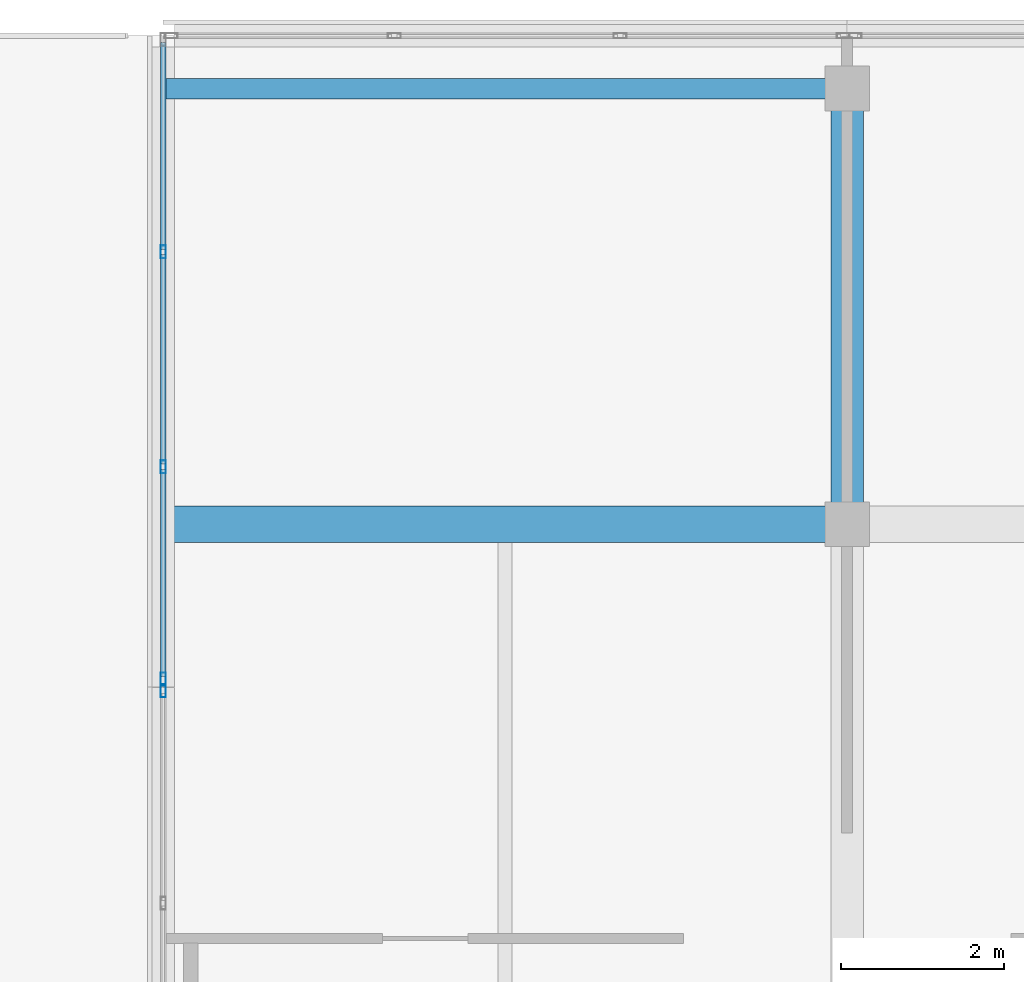
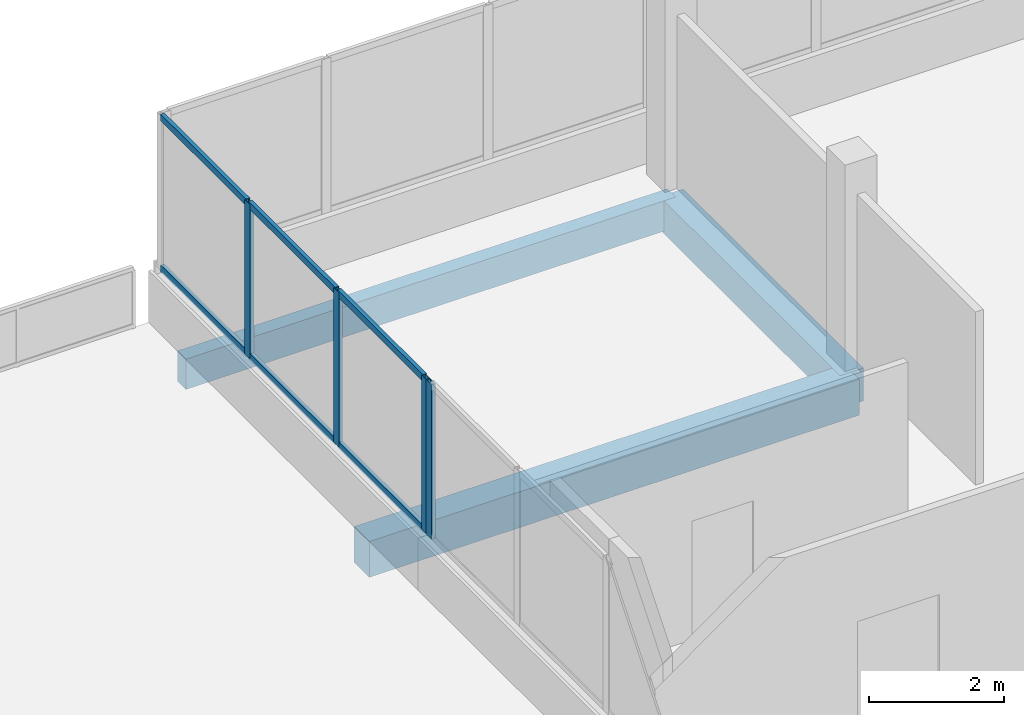
# One storey, part 14 of 67: 10 members, 3 beams, 2 elements without a shape of their own.
"""IFC4 building model written with IfcOpenShell, lengths in metres."""

from ifc_helpers import new_model, si_unit, direction, frame, origin, origin_2d, place, context, subcontext, project, spatial, rectangle, hollow_rectangle, extrude, material, material_profile, profile_set, type_object, element, aggregate, save


model = new_model("IFC4")

# Units and contexts
model_context = context("Model", 3, precision=1e-05, world=origin(), true_north=direction((0.0, 1.0)))
body_context = subcontext(model_context, "Body", "Model", "MODEL_VIEW")
ifc_project = project(units=[si_unit("LENGTHUNIT", "METRE"), si_unit("AREAUNIT", "SQUARE_METRE"), si_unit("VOLUMEUNIT", "CUBIC_METRE"), si_unit("PLANEANGLEUNIT", "RADIAN"), si_unit("MASSUNIT", "GRAM", prefix="KILO")], contexts=[model_context])

# Site, building, storey
site_placement = place(None, origin())
site = spatial("IfcSite", under=ifc_project, at=site_placement, CompositionType="ELEMENT")
building_placement = place(site_placement, origin())
building = spatial("IfcBuilding", under=site, at=building_placement, Name="Selatvlak General Hospital", CompositionType="ELEMENT")
storey_placement = place(building_placement, frame((0.0, 0.0, 35.39990234375)))
storey = spatial("IfcBuildingStorey", under=building, at=storey_placement, Name="L08", CompositionType="ELEMENT", Elevation=35.39990234375)

# Beams
ifc_material_1 = material(Name="Concrete C40/50", Category="concrete")
ifc_material_profile_1 = material_profile(ifc_material_1, rectangle(XDim=0.449951171875, YDim=0.64990234375, at=origin_2d()), Name="RC-BM 450x650")
ifc_profile_set_1 = profile_set([ifc_material_profile_1], Name="Concrete C40/50")
beam_type_1 = type_object("IfcBeamType", Name="BM-G04", PredefinedType="BEAM", material=ifc_profile_set_1)
beam_1_placement = place(storey_placement, frame((31.199951171875, 114.0, -0.58984375), z_axis=(1.0, 0.0, 0.0), x_axis=(0.0, 1.0, 0.0)))
element("IfcBeam", 1, at=beam_1_placement, inside=storey, type_object=beam_type_1, Name="Beam BMR-L08-2618", PredefinedType="BEAM", context=body_context, shape_type="SweptSolid", body=[
    extrude(rectangle(XDim=0.449951171875, YDim=0.64990234375, at=origin_2d()), origin(), (0.0, 0.0, 1.0), 8.400146484375),
])
ifc_material_profile_2 = material_profile(ifc_material_1, rectangle(XDim=0.39990234375, YDim=0.60009765625, at=origin_2d()), Name="RC-BM 400x600")
ifc_profile_set_2 = profile_set([ifc_material_profile_2], Name="Concrete C40/50")
beam_type_2 = type_object("IfcBeamType", Name="BM-G05", PredefinedType="BEAM", material=ifc_profile_set_2)
beam_2_placement = place(storey_placement, frame((39.60009765625, 114.0, -0.56494140625), z_axis=(0.0, 1.0, 0.0), x_axis=(-1.0, 0.0, 0.0)))
element("IfcBeam", 2, at=beam_2_placement, inside=storey, type_object=beam_type_2, Name="Beam BMR-L08-2643", PredefinedType="BEAM", context=body_context, shape_type="SweptSolid", body=[
    extrude(rectangle(XDim=0.39990234375, YDim=0.60009765625, at=origin_2d()), origin(), (0.0, 0.0, 1.0), 5.35009765625),
])
ifc_material_profile_3 = material_profile(ifc_material_1, rectangle(XDim=0.25, YDim=0.550048828125, at=origin_2d()), Name="RC-SP 250x550")
ifc_profile_set_3 = profile_set([ifc_material_profile_3], Name="Concrete C40/50")
beam_type_3 = type_object("IfcBeamType", Name="BM-SP2", PredefinedType="SPANDREL", material=ifc_profile_set_3)
beam_3_placement = place(storey_placement, frame((31.199951171875, 119.35009765625, -0.539794921875), z_axis=(1.0, 0.0, 0.0), x_axis=(0.0, 1.0, 0.0)))
element("IfcBeam", 3, at=beam_3_placement, inside=storey, type_object=beam_type_3, Name="Beam BMR-L08-2630", PredefinedType="SPANDREL", context=body_context, shape_type="SweptSolid", body=[
    extrude(rectangle(XDim=0.25, YDim=0.550048828125, at=origin_2d()), origin(), (0.0, 0.0, 1.0), 8.400146484375),
])

# Curtain wall, member
ifc_material_2 = material(Name="Solar-control Low-E double glazing", Category="glass")
curtain_wall_type_1 = type_object("IfcCurtainWallType", Name="CW-CW-02", PredefinedType="USERDEFINED", material=ifc_material_2)
curtain_wall_1_placement = place(storey_placement, origin())
curtain_wall_1 = element("IfcCurtainWall", 4, at=curtain_wall_1_placement, inside=storey, type_object=curtain_wall_type_1, Name="Glazed facade curtain wall CW-L08-0681", ObjectType="UNITISED CURTAIN WALL", PredefinedType="USERDEFINED")
ifc_material_3 = material(Name="Dark anodised aluminium mullion", Category="aluminium")
ifc_material_profile_4 = material_profile(ifc_material_3, hollow_rectangle(XDim=0.06494140625, YDim=0.159912109375, WallThickness=0.00390625, at=origin_2d()), Name="AL-MUL 65x160x4")
ifc_profile_set_4 = profile_set([ifc_material_profile_4], Name="Dark anodised aluminium mullion")
member_type_1 = type_object("IfcMemberType", Name="CWM-01", PredefinedType="MULLION", material=ifc_profile_set_4)
member_1_placement = place(storey_placement, frame((31.199951171875, 111.951416015625, 0.940185546875), z_axis=(0.0, 0.0, 1.0), x_axis=(-1.0, 0.0, 0.0)))
member_1 = element("IfcMember", 5, at=member_1_placement, type_object=member_type_1, Name="CW-02 mullion 4", PredefinedType="MULLION", context=body_context, shape_type="SweptSolid", body=[
    extrude(hollow_rectangle(XDim=0.06494140625, YDim=0.159912109375, WallThickness=0.00390625, at=origin_2d()), origin(), (0.0, 0.0, 1.0), 2.7998046875),
])
aggregate(curtain_wall_1, [member_1])

# Curtain wall, members
curtain_wall_type_2 = type_object("IfcCurtainWallType", Name="CW-CW-01", PredefinedType="USERDEFINED", material=ifc_material_2)
curtain_wall_2_placement = place(storey_placement, origin())
curtain_wall_2 = element("IfcCurtainWall", 6, at=curtain_wall_2_placement, inside=storey, type_object=curtain_wall_type_2, Name="Glazed facade curtain wall CW-L08-0682", ObjectType="UNITISED CURTAIN WALL", PredefinedType="USERDEFINED")
member_2_placement = place(storey_placement, frame((31.199951171875, 112.096435546875, 0.940185546875), z_axis=(0.0, 0.0, 1.0), x_axis=(-1.0, 0.0, 0.0)))
member_2 = element("IfcMember", 7, at=member_2_placement, type_object=member_type_1, Name="CW-01 mullion 1", PredefinedType="MULLION", context=body_context, shape_type="SweptSolid", body=[
    extrude(hollow_rectangle(XDim=0.06494140625, YDim=0.159912109375, WallThickness=0.00390625, at=origin_2d()), origin(), (0.0, 0.0, 1.0), 2.7998046875),
])
member_3_placement = place(storey_placement, frame((31.199951171875, 114.7041015625, 0.940185546875), z_axis=(0.0, 0.0, 1.0), x_axis=(-1.0, 0.0, 0.0)))
member_3 = element("IfcMember", 8, at=member_3_placement, type_object=member_type_1, Name="CW-01 mullion 2", PredefinedType="MULLION", context=body_context, shape_type="SweptSolid", body=[
    extrude(hollow_rectangle(XDim=0.06494140625, YDim=0.159912109375, WallThickness=0.00390625, at=origin_2d()), origin(), (0.0, 0.0, 1.0), 2.7998046875),
])
member_4_placement = place(storey_placement, frame((31.199951171875, 117.343994140625, 0.940185546875), z_axis=(0.0, 0.0, 1.0), x_axis=(-1.0, 0.0, 0.0)))
member_4 = element("IfcMember", 9, at=member_4_placement, type_object=member_type_1, Name="CW-01 mullion 3", PredefinedType="MULLION", context=body_context, shape_type="SweptSolid", body=[
    extrude(hollow_rectangle(XDim=0.06494140625, YDim=0.159912109375, WallThickness=0.00390625, at=origin_2d()), origin(), (0.0, 0.0, 1.0), 2.7998046875),
])
ifc_material_profile_5 = material_profile(ifc_material_3, hollow_rectangle(XDim=0.06494140625, YDim=0.1201171875, WallThickness=0.00390625, at=origin_2d()), Name="AL-TRN 65x120x4")
ifc_profile_set_5 = profile_set([ifc_material_profile_5], Name="Dark anodised aluminium mullion")
member_type_2 = type_object("IfcMemberType", Name="CWT-01", PredefinedType="USERDEFINED", material=ifc_profile_set_5)
member_5_placement = place(storey_placement, frame((31.199951171875, 112.12890625, 0.97265625), z_axis=(0.0, 1.0, 0.0), x_axis=(-1.0, 0.0, 0.0)))
member_5 = element("IfcMember", 10, at=member_5_placement, type_object=member_type_2, Name="CW-01 transom 1.1", ObjectType="TRANSOM", PredefinedType="USERDEFINED", context=body_context, shape_type="SweptSolid", body=[
    extrude(hollow_rectangle(XDim=0.06494140625, YDim=0.1201171875, WallThickness=0.00390625, at=origin_2d()), origin(), (0.0, 0.0, 1.0), 2.54248046875),
])
member_6_placement = place(storey_placement, frame((31.199951171875, 112.12890625, 3.70751953125), z_axis=(0.0, 1.0, 0.0), x_axis=(-1.0, 0.0, 0.0)))
member_6 = element("IfcMember", 11, at=member_6_placement, type_object=member_type_2, Name="CW-01 transom 1.2", ObjectType="TRANSOM", PredefinedType="USERDEFINED", context=body_context, shape_type="SweptSolid", body=[
    extrude(hollow_rectangle(XDim=0.06494140625, YDim=0.1201171875, WallThickness=0.00390625, at=origin_2d()), origin(), (0.0, 0.0, 1.0), 2.54248046875),
])
member_7_placement = place(storey_placement, frame((31.199951171875, 114.736572265625, 0.97265625), z_axis=(0.0, 1.0, 0.0), x_axis=(-1.0, 0.0, 0.0)))
member_7 = element("IfcMember", 12, at=member_7_placement, type_object=member_type_2, Name="CW-01 transom 2.1", ObjectType="TRANSOM", PredefinedType="USERDEFINED", context=body_context, shape_type="SweptSolid", body=[
    extrude(hollow_rectangle(XDim=0.06494140625, YDim=0.1201171875, WallThickness=0.00390625, at=origin_2d()), origin(), (0.0, 0.0, 1.0), 2.574951171875),
])
member_8_placement = place(storey_placement, frame((31.199951171875, 114.736572265625, 3.70751953125), z_axis=(0.0, 1.0, 0.0), x_axis=(-1.0, 0.0, 0.0)))
member_8 = element("IfcMember", 13, at=member_8_placement, type_object=member_type_2, Name="CW-01 transom 2.2", ObjectType="TRANSOM", PredefinedType="USERDEFINED", context=body_context, shape_type="SweptSolid", body=[
    extrude(hollow_rectangle(XDim=0.06494140625, YDim=0.1201171875, WallThickness=0.00390625, at=origin_2d()), origin(), (0.0, 0.0, 1.0), 2.574951171875),
])
member_9_placement = place(storey_placement, frame((31.199951171875, 117.37646484375, 0.97265625), z_axis=(0.0, 1.0, 0.0), x_axis=(-1.0, 0.0, 0.0)))
member_9 = element("IfcMember", 14, at=member_9_placement, type_object=member_type_2, Name="CW-01 transom 3.1", ObjectType="TRANSOM", PredefinedType="USERDEFINED", context=body_context, shape_type="SweptSolid", body=[
    extrude(hollow_rectangle(XDim=0.06494140625, YDim=0.1201171875, WallThickness=0.00390625, at=origin_2d()), origin(), (0.0, 0.0, 1.0), 2.54248046875),
])
member_10_placement = place(storey_placement, frame((31.199951171875, 117.37646484375, 3.70751953125), z_axis=(0.0, 1.0, 0.0), x_axis=(-1.0, 0.0, 0.0)))
member_10 = element("IfcMember", 15, at=member_10_placement, type_object=member_type_2, Name="CW-01 transom 3.2", ObjectType="TRANSOM", PredefinedType="USERDEFINED", context=body_context, shape_type="SweptSolid", body=[
    extrude(hollow_rectangle(XDim=0.06494140625, YDim=0.1201171875, WallThickness=0.00390625, at=origin_2d()), origin(), (0.0, 0.0, 1.0), 2.54248046875),
])
aggregate(curtain_wall_2, [member_2, member_3, member_4, member_5, member_6, member_7, member_8, member_9, member_10])

save(model, "model.ifc")
